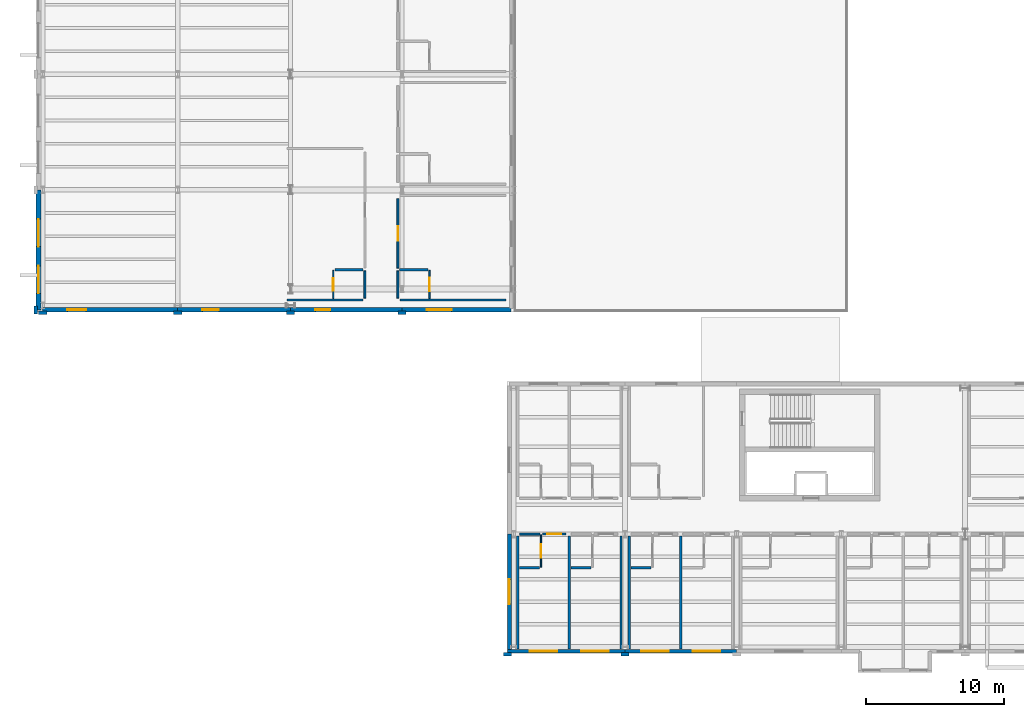
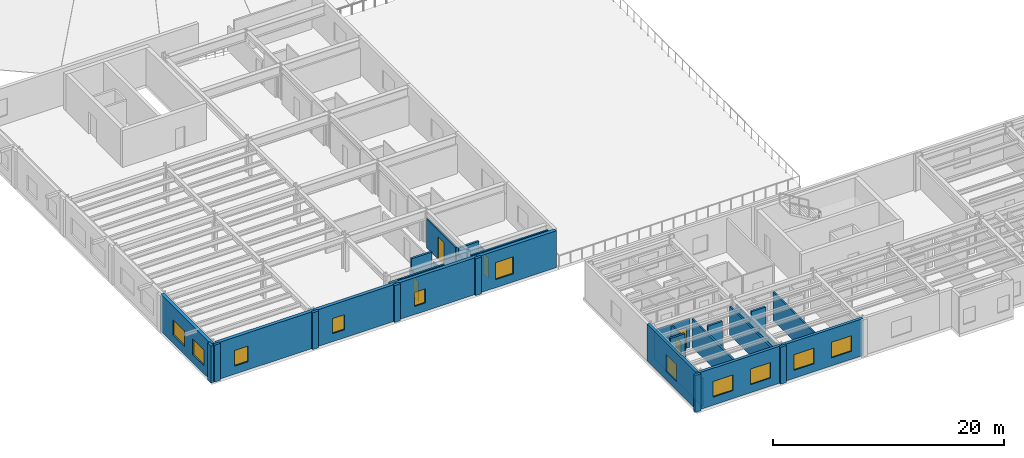
# One storey, part 34 of 59: 35 walls, 11 windows, 5 doors, 16 openings.
"""IFC4 building model written with IfcOpenShell, lengths in metres."""

from ifc_helpers import new_model, si_unit, direction, frame, frame_2d, origin, place, context, subcontext, project, spatial, rectangle, extrude, material, layer, layer_set, type_object, element, fill, save


model = new_model("IFC4")

# Units and contexts
model_context = context("Model", 3, precision=1e-05, world=origin(), true_north=direction((0.0, 1.0)))
body_context = subcontext(model_context, "Body", "Model", "MODEL_VIEW")
ifc_project = project(units=[si_unit("LENGTHUNIT", "METRE"), si_unit("AREAUNIT", "SQUARE_METRE"), si_unit("VOLUMEUNIT", "CUBIC_METRE"), si_unit("PLANEANGLEUNIT", "RADIAN"), si_unit("MASSUNIT", "GRAM", prefix="KILO")], contexts=[model_context])

# Site, building, storey
site_placement = place(None, origin())
site = spatial("IfcSite", under=ifc_project, at=site_placement, CompositionType="ELEMENT")
building_placement = place(site_placement, origin())
building = spatial("IfcBuilding", under=site, at=building_placement, Name="Sollismere Congress Hotel", CompositionType="ELEMENT")
storey_placement = place(building_placement, frame((0.0, 0.0, 15.60009765625)))
storey = spatial("IfcBuildingStorey", under=building, at=storey_placement, Name="L03", CompositionType="ELEMENT", Elevation=15.60009765625)

# Wall, openings, windows
ifc_material_1 = material(Name="Colorado Buff Sandstone Rainscreen on Insulated Backup", Category="masonry")
ifc_layer_1 = layer(ifc_material_1, 0.284912109375, Name="Colorado Buff Sandstone Rainscreen on Insulated Backup")
ifc_layer_set_1 = layer_set([ifc_layer_1], Name="Colorado Buff Sandstone Rainscreen on Insulated Backup")
wall_type_1 = type_object("IfcWallType", Name="WL-EXT285", PredefinedType="STANDARD", material=ifc_layer_set_1)
wall_1_placement = place(storey_placement, frame((33.75, -0.31005859375, 0.0), z_axis=(0.0, 0.0, 1.0), x_axis=(1.0, 0.0, 0.0)))
wall_1 = element("IfcWall", 1, at=wall_1_placement, inside=storey, type_object=wall_type_1, Name="Exterior wall EW-L03-390", PredefinedType="STANDARD", context=body_context, shape_type="SweptSolid", body=[
    extrude(rectangle(XDim=8.550048828125, YDim=0.284912109375, at=frame_2d((4.27490234375, 0.0))), origin(), (0.0, 0.0, 1.0), 3.89990234375),
])
opening_1_placement = place(wall_1_placement, frame((1.625, 0.0, 0.85009765625)))
opening_1 = element("IfcOpeningElement", 2, at=opening_1_placement, cuts=wall_1, Name="Opening W-L03-309", PredefinedType="OPENING", context=body_context, shape_type="SweptSolid", body=[
    extrude(rectangle(XDim=2.0, YDim=1.64990234375, at=frame_2d((1.0, 0.824951171875))), frame((0.0, 0.15234375, 0.0), z_axis=(0.0, -1.0, 0.0), x_axis=(1.0, 0.0, 0.0)), (0.0, 0.0, 1.0), 0.304931640625),
])
opening_2_placement = place(wall_1_placement, frame((5.375, 0.0, 0.85009765625)))
opening_2 = element("IfcOpeningElement", 3, at=opening_2_placement, cuts=wall_1, Name="Opening W-L03-310", PredefinedType="OPENING", context=body_context, shape_type="SweptSolid", body=[
    extrude(rectangle(XDim=2.0, YDim=1.64990234375, at=frame_2d((1.0, 0.824951171875))), frame((0.0, 0.15234375, 0.0), z_axis=(0.0, -1.0, 0.0), x_axis=(1.0, 0.0, 0.0)), (0.0, 0.0, 1.0), 0.304931640625),
])
ifc_material_2 = material(Name="Thermally Broken Bronze Aluminum & Low-E Glass", Category="aluminium")
window_type_1 = type_object("IfcWindowType", Name="WN-P200x165", PartitioningType="SINGLE_PANEL", PredefinedType="WINDOW", material=ifc_material_2)
window_1_placement = place(opening_1_placement, origin())
window_1 = element("IfcWindow", 4, at=window_1_placement, inside=storey, type_object=window_type_1, Name="WIN-W-L03-309", OverallHeight=1.64990234375, OverallWidth=2.0, PartitioningType="SINGLE_PANEL", PredefinedType="WINDOW", context=body_context, shape_type="SweptSolid", body=[
    extrude(rectangle(XDim=2.0, YDim=1.64990234375, at=frame_2d((1.0, 0.824951171875))), frame((0.0, 0.030029296875, 0.0), z_axis=(0.0, -1.0, 0.0), x_axis=(1.0, 0.0, 0.0)), (0.0, 0.0, 1.0), 0.06005859375),
])
fill(opening_1, window_1)
window_2_placement = place(opening_2_placement, origin())
window_2 = element("IfcWindow", 5, at=window_2_placement, inside=storey, type_object=window_type_1, Name="WIN-W-L03-310", OverallHeight=1.64990234375, OverallWidth=2.0, PartitioningType="SINGLE_PANEL", PredefinedType="WINDOW", context=body_context, shape_type="SweptSolid", body=[
    extrude(rectangle(XDim=2.0, YDim=1.64990234375, at=frame_2d((1.0, 0.824951171875))), frame((0.0, 0.030029296875, 0.0), z_axis=(0.0, -1.0, 0.0), x_axis=(1.0, 0.0, 0.0)), (0.0, 0.0, 1.0), 0.06005859375),
])
fill(opening_2, window_2)

wall_2_placement = place(storey_placement, frame((42.300048828125, -0.31005859375, 0.0), z_axis=(0.0, 0.0, 1.0), x_axis=(1.0, 0.0, 0.0)))
wall_2 = element("IfcWall", 6, at=wall_2_placement, inside=storey, type_object=wall_type_1, Name="Exterior wall EW-L03-392", PredefinedType="STANDARD", context=body_context, shape_type="SweptSolid", body=[
    extrude(rectangle(XDim=8.099853515625, YDim=0.284912109375, at=frame_2d((4.0498046875, 0.0))), origin(), (0.0, 0.0, 1.0), 3.89990234375),
])
opening_3_placement = place(wall_2_placement, frame((1.175048828125, 0.0, 0.85009765625)))
opening_3 = element("IfcOpeningElement", 7, at=opening_3_placement, cuts=wall_2, Name="Opening W-L03-311", PredefinedType="OPENING", context=body_context, shape_type="SweptSolid", body=[
    extrude(rectangle(XDim=2.0, YDim=1.64990234375, at=frame_2d((1.0, 0.824951171875))), frame((0.0, 0.15234375, 0.0), z_axis=(0.0, -1.0, 0.0), x_axis=(1.0, 0.0, 0.0)), (0.0, 0.0, 1.0), 0.304931640625),
])
opening_4_placement = place(wall_2_placement, frame((4.925048828125, 0.0, 0.85009765625)))
opening_4 = element("IfcOpeningElement", 8, at=opening_4_placement, cuts=wall_2, Name="Opening W-L03-312", PredefinedType="OPENING", context=body_context, shape_type="SweptSolid", body=[
    extrude(rectangle(XDim=2.0, YDim=1.64990234375, at=frame_2d((1.0, 0.824951171875))), frame((0.0, 0.15234375, 0.0), z_axis=(0.0, -1.0, 0.0), x_axis=(1.0, 0.0, 0.0)), (0.0, 0.0, 1.0), 0.304931640625),
])
window_3_placement = place(opening_3_placement, origin())
window_3 = element("IfcWindow", 9, at=window_3_placement, inside=storey, type_object=window_type_1, Name="WIN-W-L03-311", OverallHeight=1.64990234375, OverallWidth=2.0, PartitioningType="SINGLE_PANEL", PredefinedType="WINDOW", context=body_context, shape_type="SweptSolid", body=[
    extrude(rectangle(XDim=2.0, YDim=1.64990234375, at=frame_2d((1.0, 0.824951171875))), frame((0.0, 0.030029296875, 0.0), z_axis=(0.0, -1.0, 0.0), x_axis=(1.0, 0.0, 0.0)), (0.0, 0.0, 1.0), 0.06005859375),
])
fill(opening_3, window_3)
window_4_placement = place(opening_4_placement, origin())
window_4 = element("IfcWindow", 10, at=window_4_placement, inside=storey, type_object=window_type_1, Name="WIN-W-L03-312", OverallHeight=1.64990234375, OverallWidth=2.0, PartitioningType="SINGLE_PANEL", PredefinedType="WINDOW", context=body_context, shape_type="SweptSolid", body=[
    extrude(rectangle(XDim=2.0, YDim=1.64990234375, at=frame_2d((1.0, 0.824951171875))), frame((0.0, 0.030029296875, 0.0), z_axis=(0.0, -1.0, 0.0), x_axis=(1.0, 0.0, 0.0)), (0.0, 0.0, 1.0), 0.06005859375),
])
fill(opening_4, window_4)

# Wall, opening, window
wall_3_placement = place(storey_placement, frame((33.889892578125, 8.199951171875, 0.0), z_axis=(0.0, 0.0, 1.0), x_axis=(0.0, -1.0, 0.0)))
wall_3 = element("IfcWall", 11, at=wall_3_placement, inside=storey, type_object=wall_type_1, Name="Exterior wall EW-L03-473", PredefinedType="STANDARD", context=body_context, shape_type="SweptSolid", body=[
    extrude(rectangle(XDim=8.365478515625, YDim=0.284912109375, at=frame_2d((4.1826171875, 0.0))), origin(), (0.0, 0.0, 1.0), 3.89990234375),
])
opening_5_placement = place(wall_3_placement, frame((3.28271484375, 0.0, 0.8798828125)))
opening_5 = element("IfcOpeningElement", 12, at=opening_5_placement, cuts=wall_3, Name="Opening W-L03-362", PredefinedType="OPENING", context=body_context, shape_type="SweptSolid", body=[
    extrude(rectangle(XDim=1.800048828125, YDim=1.800048828125, at=frame_2d((0.89990234375, 0.89990234375))), frame((0.0, 0.15234375, 0.0), z_axis=(0.0, -1.0, 0.0), x_axis=(1.0, 0.0, 0.0)), (0.0, 0.0, 1.0), 0.304931640625),
])
window_type_2 = type_object("IfcWindowType", Name="WN-P180x180", PartitioningType="SINGLE_PANEL", PredefinedType="WINDOW", material=ifc_material_2)
window_5_placement = place(opening_5_placement, origin())
window_5 = element("IfcWindow", 13, at=window_5_placement, inside=storey, type_object=window_type_2, Name="WIN-W-L03-362", OverallHeight=1.800048828125, OverallWidth=1.800048828125, PartitioningType="SINGLE_PANEL", PredefinedType="WINDOW", context=body_context, shape_type="SweptSolid", body=[
    extrude(rectangle(XDim=1.800048828125, YDim=1.800048828125, at=frame_2d((0.89990234375, 0.89990234375))), frame((0.0, 0.030029296875, 0.0), z_axis=(0.0, -1.0, 0.0), x_axis=(1.0, 0.0, 0.0)), (0.0, 0.0, 1.0), 0.06005859375),
])
fill(opening_5, window_5)

# Wall, openings, windows
ifc_material_3 = material(Name="Colorado Buff Sandstone and Limestone Backup C40/50", Category="masonry")
ifc_layer_2 = layer(ifc_material_3, 0.340087890625, Name="Colorado Buff Sandstone and Limestone Backup C40/50")
ifc_layer_set_2 = layer_set([ifc_layer_2], Name="Colorado Buff Sandstone and Limestone Backup C40/50")
wall_type_2 = type_object("IfcWallType", Name="WL-EXT340", PredefinedType="STANDARD", material=ifc_layer_set_2)
wall_4_placement = place(storey_placement, frame((-0.31005859375, 24.47998046875, 0.0), z_axis=(0.0, 0.0, 1.0), x_axis=(0.0, 1.0, 0.0)))
wall_4 = element("IfcWall", 14, at=wall_4_placement, inside=storey, type_object=wall_type_2, Name="Exterior wall EW-L03-176", PredefinedType="STANDARD", context=body_context, shape_type="SweptSolid", body=[
    extrude(rectangle(XDim=8.719970703125, YDim=0.340087890625, at=frame_2d((4.35986328125, 0.0))), origin(), (0.0, 0.0, 1.0), 3.89990234375),
])
opening_6_placement = place(wall_4_placement, frame((1.199951171875, 0.0, 0.85009765625)))
opening_6 = element("IfcOpeningElement", 15, at=opening_6_placement, cuts=wall_4, Name="Opening W-L03-146", PredefinedType="OPENING", context=body_context, shape_type="SweptSolid", body=[
    extrude(rectangle(XDim=2.0, YDim=1.64990234375, at=frame_2d((1.0, 0.824951171875))), frame((0.0, 0.179931640625, 0.0), z_axis=(0.0, -1.0, 0.0), x_axis=(1.0, 0.0, 0.0)), (0.0, 0.0, 1.0), 0.360107421875),
])
opening_7_placement = place(wall_4_placement, frame((4.60009765625, 0.0, 0.85009765625)))
opening_7 = element("IfcOpeningElement", 16, at=opening_7_placement, cuts=wall_4, Name="Opening W-L03-147", PredefinedType="OPENING", context=body_context, shape_type="SweptSolid", body=[
    extrude(rectangle(XDim=2.0, YDim=1.64990234375, at=frame_2d((1.0, 0.824951171875))), frame((0.0, 0.179931640625, 0.0), z_axis=(0.0, -1.0, 0.0), x_axis=(1.0, 0.0, 0.0)), (0.0, 0.0, 1.0), 0.360107421875),
])
window_6_placement = place(opening_6_placement, origin())
window_6 = element("IfcWindow", 17, at=window_6_placement, inside=storey, type_object=window_type_1, Name="WIN-W-L03-146", OverallHeight=1.64990234375, OverallWidth=2.0, PartitioningType="SINGLE_PANEL", PredefinedType="WINDOW", context=body_context, shape_type="SweptSolid", body=[
    extrude(rectangle(XDim=2.0, YDim=1.64990234375, at=frame_2d((1.0, 0.824951171875))), frame((0.0, 0.030029296875, 0.0), z_axis=(0.0, -1.0, 0.0), x_axis=(1.0, 0.0, 0.0)), (0.0, 0.0, 1.0), 0.06005859375),
])
fill(opening_6, window_6)
window_7_placement = place(opening_7_placement, origin())
window_7 = element("IfcWindow", 18, at=window_7_placement, inside=storey, type_object=window_type_1, Name="WIN-W-L03-147", OverallHeight=1.64990234375, OverallWidth=2.0, PartitioningType="SINGLE_PANEL", PredefinedType="WINDOW", context=body_context, shape_type="SweptSolid", body=[
    extrude(rectangle(XDim=2.0, YDim=1.64990234375, at=frame_2d((1.0, 0.824951171875))), frame((0.0, 0.030029296875, 0.0), z_axis=(0.0, -1.0, 0.0), x_axis=(1.0, 0.0, 0.0)), (0.0, 0.0, 1.0), 0.06005859375),
])
fill(opening_7, window_7)

# Wall, opening, window
wall_5_placement = place(storey_placement, frame((0.0, 24.489990234375, 0.0), z_axis=(0.0, 0.0, 1.0), x_axis=(1.0, 0.0, 0.0)))
wall_5 = element("IfcWall", 19, at=wall_5_placement, inside=storey, type_object=wall_type_2, Name="Exterior wall EW-L03-186", PredefinedType="STANDARD", context=body_context, shape_type="SweptSolid", body=[
    extrude(rectangle(XDim=9.800048828125, YDim=0.340087890625, at=frame_2d((4.89990234375, 0.0))), origin(), (0.0, 0.0, 1.0), 3.89990234375),
])
opening_8_placement = place(wall_5_placement, frame((1.800048828125, 0.0, 0.85009765625)))
opening_8 = element("IfcOpeningElement", 20, at=opening_8_placement, cuts=wall_5, Name="Opening W-L03-156", PredefinedType="OPENING", context=body_context, shape_type="SweptSolid", body=[
    extrude(rectangle(XDim=1.35009765625, YDim=1.64990234375, at=frame_2d((0.675048828125, 0.824951171875))), frame((0.0, 0.179931640625, 0.0), z_axis=(0.0, -1.0, 0.0), x_axis=(1.0, 0.0, 0.0)), (0.0, 0.0, 1.0), 0.360107421875),
])
window_type_3 = type_object("IfcWindowType", Name="WN-P135x165", PartitioningType="SINGLE_PANEL", PredefinedType="WINDOW", material=ifc_material_2)
window_8_placement = place(opening_8_placement, origin())
window_8 = element("IfcWindow", 21, at=window_8_placement, inside=storey, type_object=window_type_3, Name="WIN-W-L03-156", OverallHeight=1.64990234375, OverallWidth=1.35009765625, PartitioningType="SINGLE_PANEL", PredefinedType="WINDOW", context=body_context, shape_type="SweptSolid", body=[
    extrude(rectangle(XDim=1.35009765625, YDim=1.64990234375, at=frame_2d((0.675048828125, 0.824951171875))), frame((0.0, 0.030029296875, 0.0), z_axis=(0.0, -1.0, 0.0), x_axis=(1.0, 0.0, 0.0)), (0.0, 0.0, 1.0), 0.06005859375),
])
fill(opening_8, window_8)

wall_6_placement = place(storey_placement, frame((9.800048828125, 24.489990234375, 0.0), z_axis=(0.0, 0.0, 1.0), x_axis=(1.0, 0.0, 0.0)))
wall_6 = element("IfcWall", 22, at=wall_6_placement, inside=storey, type_object=wall_type_2, Name="Exterior wall EW-L03-188", PredefinedType="STANDARD", context=body_context, shape_type="SweptSolid", body=[
    extrude(rectangle(XDim=8.199951171875, YDim=0.340087890625, at=frame_2d((4.10009765625, 0.0))), origin(), (0.0, 0.0, 1.0), 3.89990234375),
])
opening_9_placement = place(wall_6_placement, frame((1.800048828125, 0.0, 0.85009765625)))
opening_9 = element("IfcOpeningElement", 23, at=opening_9_placement, cuts=wall_6, Name="Opening W-L03-157", PredefinedType="OPENING", context=body_context, shape_type="SweptSolid", body=[
    extrude(rectangle(XDim=1.199951171875, YDim=1.60009765625, at=frame_2d((0.60009765625, 0.800048828125))), frame((0.0, 0.179931640625, 0.0), z_axis=(0.0, -1.0, 0.0), x_axis=(1.0, 0.0, 0.0)), (0.0, 0.0, 1.0), 0.360107421875),
])
window_type_4 = type_object("IfcWindowType", Name="WN-P120x160", PartitioningType="SINGLE_PANEL", PredefinedType="WINDOW", material=ifc_material_2)
window_9_placement = place(opening_9_placement, origin())
window_9 = element("IfcWindow", 24, at=window_9_placement, inside=storey, type_object=window_type_4, Name="WIN-W-L03-157", OverallHeight=1.60009765625, OverallWidth=1.199951171875, PartitioningType="SINGLE_PANEL", PredefinedType="WINDOW", context=body_context, shape_type="SweptSolid", body=[
    extrude(rectangle(XDim=1.199951171875, YDim=1.60009765625, at=frame_2d((0.60009765625, 0.800048828125))), frame((0.0, 0.030029296875, 0.0), z_axis=(0.0, -1.0, 0.0), x_axis=(1.0, 0.0, 0.0)), (0.0, 0.0, 1.0), 0.06005859375),
])
fill(opening_9, window_9)

wall_7_placement = place(storey_placement, frame((18.0, 24.489990234375, 0.0), z_axis=(0.0, 0.0, 1.0), x_axis=(1.0, 0.0, 0.0)))
wall_7 = element("IfcWall", 25, at=wall_7_placement, inside=storey, type_object=wall_type_2, Name="Exterior wall EW-L03-190", PredefinedType="STANDARD", context=body_context, shape_type="SweptSolid", body=[
    extrude(rectangle(XDim=8.10009765625, YDim=0.340087890625, at=frame_2d((4.050048828125, 0.0))), origin(), (0.0, 0.0, 1.0), 3.89990234375),
])
opening_10_placement = place(wall_7_placement, frame((1.800048828125, 0.0, 0.85009765625)))
opening_10 = element("IfcOpeningElement", 26, at=opening_10_placement, cuts=wall_7, Name="Opening W-L03-158", PredefinedType="OPENING", context=body_context, shape_type="SweptSolid", body=[
    extrude(rectangle(XDim=1.10009765625, YDim=1.5, at=frame_2d((0.550048828125, 0.75))), frame((0.0, 0.179931640625, 0.0), z_axis=(0.0, -1.0, 0.0), x_axis=(1.0, 0.0, 0.0)), (0.0, 0.0, 1.0), 0.360107421875),
])
window_type_5 = type_object("IfcWindowType", Name="WN-P110x150", PartitioningType="SINGLE_PANEL", PredefinedType="WINDOW", material=ifc_material_2)
window_10_placement = place(opening_10_placement, origin())
window_10 = element("IfcWindow", 27, at=window_10_placement, inside=storey, type_object=window_type_5, Name="WIN-W-L03-158", OverallHeight=1.5, OverallWidth=1.10009765625, PartitioningType="SINGLE_PANEL", PredefinedType="WINDOW", context=body_context, shape_type="SweptSolid", body=[
    extrude(rectangle(XDim=1.10009765625, YDim=1.5, at=frame_2d((0.550048828125, 0.75))), frame((0.0, 0.030029296875, 0.0), z_axis=(0.0, -1.0, 0.0), x_axis=(1.0, 0.0, 0.0)), (0.0, 0.0, 1.0), 0.06005859375),
])
fill(opening_10, window_10)

wall_8_placement = place(storey_placement, frame((26.10009765625, 24.489990234375, 0.0), z_axis=(0.0, 0.0, 1.0), x_axis=(1.0, 0.0, 0.0)))
wall_8 = element("IfcWall", 28, at=wall_8_placement, inside=storey, type_object=wall_type_2, Name="Exterior wall EW-L03-192", PredefinedType="STANDARD", context=body_context, shape_type="SweptSolid", body=[
    extrude(rectangle(XDim=7.89990234375, YDim=0.340087890625, at=frame_2d((3.949951171875, 0.0))), origin(), (0.0, 0.0, 1.0), 3.89990234375),
])
opening_11_placement = place(wall_8_placement, frame((1.800048828125, 0.0, 0.85009765625)))
opening_11 = element("IfcOpeningElement", 29, at=opening_11_placement, cuts=wall_8, Name="Opening W-L03-159", PredefinedType="OPENING", context=body_context, shape_type="SweptSolid", body=[
    extrude(rectangle(XDim=1.800048828125, YDim=1.800048828125, at=frame_2d((0.89990234375, 0.89990234375))), frame((0.0, 0.179931640625, 0.0), z_axis=(0.0, -1.0, 0.0), x_axis=(1.0, 0.0, 0.0)), (0.0, 0.0, 1.0), 0.360107421875),
])
window_11_placement = place(opening_11_placement, origin())
window_11 = element("IfcWindow", 30, at=window_11_placement, inside=storey, type_object=window_type_2, Name="WIN-W-L03-159", OverallHeight=1.800048828125, OverallWidth=1.800048828125, PartitioningType="SINGLE_PANEL", PredefinedType="WINDOW", context=body_context, shape_type="SweptSolid", body=[
    extrude(rectangle(XDim=1.800048828125, YDim=1.800048828125, at=frame_2d((0.89990234375, 0.89990234375))), frame((0.0, 0.030029296875, 0.0), z_axis=(0.0, -1.0, 0.0), x_axis=(1.0, 0.0, 0.0)), (0.0, 0.0, 1.0), 0.06005859375),
])
fill(opening_11, window_11)

# Walls
ifc_material_4 = material(Name="Carved Travertine Pilaster & Frieze Assembly", Category="masonry")
ifc_layer_3 = layer(ifc_material_4, 0.260009765625, Name="Carved Travertine Pilaster & Frieze Assembly")
ifc_layer_set_3 = layer_set([ifc_layer_3], Name="Carved Travertine Pilaster & Frieze Assembly")
wall_type_3 = type_object("IfcWallType", Name="WL-PIL280", PredefinedType="ELEMENTEDWALL", material=ifc_layer_set_3)
for number, where, z_axis, x_axis, name in (
    (31, (-0.52001953125, 24.179931640625, 0.0), (0.0, 0.0, 1.0), (0.0, 1.0, 0.0), "Exterior wall EW-L03-177"),
    (32, (-0.300048828125, 24.280029296875, 0.0), (0.0, 0.0, 1.0), (1.0, 0.0, 0.0), "Exterior wall EW-L03-187"),
    (33, (9.5, 24.280029296875, 0.0), (0.0, 0.0, 1.0), (1.0, 0.0, 0.0), "Exterior wall EW-L03-189"),
    (34, (17.699951171875, 24.280029296875, 0.0), (0.0, 0.0, 1.0), (1.0, 0.0, 0.0), "Exterior wall EW-L03-191"),
):
    element("IfcWall", number, at=place(storey_placement, frame(where, z_axis=z_axis, x_axis=x_axis)), inside=storey, type_object=wall_type_3, Name=name, PredefinedType="ELEMENTEDWALL", context=body_context, shape_type="SweptSolid", body=[
        extrude(rectangle(XDim=0.60009765625, YDim=0.260009765625, at=frame_2d((0.300048828125, 0.0))), origin(), (0.0, 0.0, 1.0), 3.89990234375),
    ])
wall_9_placement = place(storey_placement, frame((25.800048828125, 24.280029296875, 0.0), z_axis=(0.0, 0.0, 1.0), x_axis=(1.0, 0.0, 0.0)))
element("IfcWall", 35, at=wall_9_placement, inside=storey, type_object=wall_type_3, Name="Exterior wall EW-L03-193", PredefinedType="ELEMENTEDWALL", context=body_context, shape_type="SweptSolid", body=[
    extrude(rectangle(XDim=0.599853515625, YDim=0.260009765625, at=frame_2d((0.2998046875, 0.0))), origin(), (0.0, 0.0, 1.0), 3.89990234375),
])
for number, where, z_axis, x_axis, name in (
    (36, (33.449951171875, -0.52001953125, 0.0), (0.0, 0.0, 1.0), (1.0, 0.0, 0.0), "Exterior wall EW-L03-391"),
    (37, (42.0, -0.52001953125, 0.0), (0.0, 0.0, 1.0), (1.0, 0.0, 0.0), "Exterior wall EW-L03-393"),
):
    element("IfcWall", number, at=place(storey_placement, frame(where, z_axis=z_axis, x_axis=x_axis)), inside=storey, type_object=wall_type_3, Name=name, PredefinedType="ELEMENTEDWALL", context=body_context, shape_type="SweptSolid", body=[
        extrude(rectangle(XDim=0.60009765625, YDim=0.260009765625, at=frame_2d((0.300048828125, 0.0))), origin(), (0.0, 0.0, 1.0), 3.89990234375),
    ])
ifc_material_5 = material(Name="Moisture-Resistant Shaft Gypsum Assembly")
ifc_layer_4 = layer(ifc_material_5, 0.199951171875, Name="Moisture-Resistant Shaft Gypsum Assembly")
ifc_layer_set_4 = layer_set([ifc_layer_4], Name="Moisture-Resistant Shaft Gypsum Assembly")
wall_type_4 = type_object("IfcWallType", Name="WL-PLM200", PredefinedType="PLUMBINGWALL", material=ifc_layer_set_4)
for number, where, z_axis, x_axis, name in (
    (38, (34.6201171875, 5.75, 0.0), (0.0, 0.0, 1.0), (1.0, 0.0, 0.0), "Interior wall IW-L03-1214"),
    (39, (38.3701171875, 5.75, 0.0), (0.0, 0.0, 1.0), (1.0, 0.0, 0.0), "Interior wall IW-L03-1219"),
    (40, (42.719970703125, 5.75, 0.0), (0.0, 0.0, 1.0), (1.0, 0.0, 0.0), "Interior wall IW-L03-1236"),
):
    element("IfcWall", number, at=place(storey_placement, frame(where, z_axis=z_axis, x_axis=x_axis)), inside=storey, type_object=wall_type_4, Name=name, PredefinedType="PLUMBINGWALL", context=body_context, shape_type="SweptSolid", body=[
        extrude(rectangle(XDim=1.447998046875, YDim=0.199951171875, at=frame_2d((0.72412109375, 0.0))), origin(), (0.0, 0.0, 1.0), 3.599853515625),
    ])
wall_10_placement = place(storey_placement, frame((25.919921875, 27.39990234375, 0.0), z_axis=(0.0, 0.0, 1.0), x_axis=(1.0, 0.0, 0.0)))
element("IfcWall", 41, at=wall_10_placement, inside=storey, type_object=wall_type_4, Name="Interior wall IW-L03-1439", PredefinedType="PLUMBINGWALL", context=body_context, shape_type="SweptSolid", body=[
    extrude(rectangle(XDim=2.06005859375, YDim=0.199951171875, at=frame_2d((1.030029296875, 0.0))), origin(), (0.0, 0.0, 1.0), 3.073974609375),
])
wall_11_placement = place(storey_placement, frame((21.219970703125, 27.39990234375, 0.0), z_axis=(0.0, 0.0, 1.0), x_axis=(1.0, 0.0, 0.0)))
element("IfcWall", 42, at=wall_11_placement, inside=storey, type_object=wall_type_4, Name="Interior wall IW-L03-1469", PredefinedType="PLUMBINGWALL", context=body_context, shape_type="SweptSolid", body=[
    extrude(rectangle(XDim=2.06005859375, YDim=0.199951171875, at=frame_2d((1.030029296875, 0.0))), origin(), (0.0, 0.0, 1.0), 3.599853515625),
])

# Wall, opening, door
ifc_material_6 = material(Name="Moisture-Resistant Gypsum Partition")
ifc_layer_5 = layer(ifc_material_6, 0.10009765625, Name="Moisture-Resistant Gypsum Partition")
ifc_layer_set_5 = layer_set([ifc_layer_5], Name="Moisture-Resistant Gypsum Partition")
wall_type_5 = type_object("IfcWallType", Name="WL-PRT100", PredefinedType="PARTITIONING", material=ifc_layer_set_5)
wall_12_placement = place(storey_placement, frame((36.18798828125, 5.7900390625, 0.0), z_axis=(0.0, 0.0, 1.0), x_axis=(0.0, 1.0, 0.0)))
wall_12 = element("IfcWall", 43, at=wall_12_placement, inside=storey, type_object=wall_type_5, Name="Interior wall IW-L03-1213", PredefinedType="PARTITIONING", context=body_context, shape_type="SweptSolid", body=[
    extrude(rectangle(XDim=2.369873046875, YDim=0.10009765625, at=frame_2d((1.18505859375, 0.0))), origin(), (0.0, 0.0, 1.0), 3.012939453125),
])
opening_12_placement = place(wall_12_placement, frame((0.7080078125, 0.0, 0.0)))
opening_12 = element("IfcOpeningElement", 44, at=opening_12_placement, cuts=wall_12, Name="Opening D-L03-0428", PredefinedType="OPENING", context=body_context, shape_type="SweptSolid", body=[
    extrude(rectangle(XDim=0.955078125, YDim=2.139892578125, at=frame_2d((0.4775390625, 1.06982421875))), frame((0.0, 0.06005859375, 0.0), z_axis=(0.0, -1.0, 0.0), x_axis=(1.0, 0.0, 0.0)), (0.0, 0.0, 1.0), 0.1201171875),
])
ifc_material_7 = material(Name="Moisture-Sealed Timber Bathroom Door", Category="wood")
door_type_1 = type_object("IfcDoorType", Name="DR-BT04", OperationType="NOTDEFINED", PredefinedType="DOOR", material=ifc_material_7)
door_1_placement = place(opening_12_placement, origin())
door_1 = element("IfcDoor", 45, at=door_1_placement, inside=storey, type_object=door_type_1, Name="En-suite bathroom door D-L03-0428", OperationType="SINGLE_SWING_LEFT", OverallHeight=2.139892578125, OverallWidth=0.955078125, PredefinedType="DOOR", context=body_context, shape_type="SweptSolid", body=[
    extrude(rectangle(XDim=0.955078125, YDim=2.139892578125, at=frame_2d((0.4775390625, 1.06982421875))), frame((0.0, 0.02490234375, 0.0), z_axis=(0.0, -1.0, 0.0), x_axis=(1.0, 0.0, 0.0)), (0.0, 0.0, 1.0), 0.050048828125),
])
fill(opening_12, door_1)

wall_13_placement = place(storey_placement, frame((28.10009765625, 25.29443359375, 0.0), z_axis=(0.0, 0.0, 1.0), x_axis=(0.0, 1.0, 0.0)))
wall_13 = element("IfcWall", 46, at=wall_13_placement, inside=storey, type_object=wall_type_5, Name="Interior wall IW-L03-1440", PredefinedType="PARTITIONING", context=body_context, shape_type="SweptSolid", body=[
    extrude(rectangle(XDim=2.065673828125, YDim=0.10009765625, at=frame_2d((1.03271484375, 0.0))), origin(), (0.0, 0.0, 1.0), 2.583984375),
])
opening_13_placement = place(wall_13_placement, frame((0.554931640625, 0.0, 0.0)))
opening_13 = element("IfcOpeningElement", 47, at=opening_13_placement, cuts=wall_13, Name="Opening D-L03-0508", PredefinedType="OPENING", context=body_context, shape_type="SweptSolid", body=[
    extrude(rectangle(XDim=0.955078125, YDim=2.139892578125, at=frame_2d((0.4775390625, 1.06982421875))), frame((0.0, 0.06005859375, 0.0), z_axis=(0.0, -1.0, 0.0), x_axis=(1.0, 0.0, 0.0)), (0.0, 0.0, 1.0), 0.1201171875),
])
door_2_placement = place(opening_13_placement, origin())
door_2 = element("IfcDoor", 48, at=door_2_placement, inside=storey, type_object=door_type_1, Name="En-suite bathroom door D-L03-0508", OperationType="SINGLE_SWING_LEFT", OverallHeight=2.139892578125, OverallWidth=0.955078125, PredefinedType="DOOR", context=body_context, shape_type="SweptSolid", body=[
    extrude(rectangle(XDim=0.955078125, YDim=2.139892578125, at=frame_2d((0.4775390625, 1.06982421875))), frame((0.0, 0.02490234375, 0.0), z_axis=(0.0, -1.0, 0.0), x_axis=(1.0, 0.0, 0.0)), (0.0, 0.0, 1.0), 0.050048828125),
])
fill(opening_13, door_2)

wall_14_placement = place(storey_placement, frame((21.10009765625, 25.29443359375, 0.0), z_axis=(0.0, 0.0, 1.0), x_axis=(0.0, 1.0, 0.0)))
wall_14 = element("IfcWall", 49, at=wall_14_placement, inside=storey, type_object=wall_type_5, Name="Interior wall IW-L03-1470", PredefinedType="PARTITIONING", context=body_context, shape_type="SweptSolid", body=[
    extrude(rectangle(XDim=2.065673828125, YDim=0.10009765625, at=frame_2d((1.03271484375, 0.0))), origin(), (0.0, 0.0, 1.0), 2.583984375),
])
opening_14_placement = place(wall_14_placement, frame((0.593017578125, 0.0, 0.0)))
opening_14 = element("IfcOpeningElement", 50, at=opening_14_placement, cuts=wall_14, Name="Opening D-L03-0518", PredefinedType="OPENING", context=body_context, shape_type="SweptSolid", body=[
    extrude(rectangle(XDim=0.8798828125, YDim=2.10009765625, at=frame_2d((0.43994140625, 1.050048828125))), frame((0.0, 0.06005859375, 0.0), z_axis=(0.0, -1.0, 0.0), x_axis=(1.0, 0.0, 0.0)), (0.0, 0.0, 1.0), 0.1201171875),
])
door_type_2 = type_object("IfcDoorType", Name="DR-BT01", OperationType="NOTDEFINED", PredefinedType="DOOR", material=ifc_material_7)
door_3_placement = place(opening_14_placement, origin())
door_3 = element("IfcDoor", 51, at=door_3_placement, inside=storey, type_object=door_type_2, Name="En-suite bathroom door D-L03-0518", OperationType="SINGLE_SWING_LEFT", OverallHeight=2.10009765625, OverallWidth=0.8798828125, PredefinedType="DOOR", context=body_context, shape_type="SweptSolid", body=[
    extrude(rectangle(XDim=0.8798828125, YDim=2.10009765625, at=frame_2d((0.43994140625, 1.050048828125))), frame((0.0, 0.02490234375, 0.0), z_axis=(0.0, -1.0, 0.0), x_axis=(1.0, 0.0, 0.0)), (0.0, 0.0, 1.0), 0.050048828125),
])
fill(opening_14, door_3)

# Wall
ifc_material_8 = material(Name="Fire-Rated Gypsum Partition")
ifc_layer_6 = layer(ifc_material_8, 0.139892578125, Name="Fire-Rated Gypsum Partition")
ifc_layer_set_6 = layer_set([ifc_layer_6], Name="Fire-Rated Gypsum Partition")
wall_type_6 = type_object("IfcWallType", Name="WL-PRT140R", PredefinedType="PARTITIONING", material=ifc_layer_set_6)
wall_15_placement = place(storey_placement, frame((34.639892578125, 8.199951171875, 0.0), z_axis=(0.0, 0.0, 1.0), x_axis=(1.0, 0.0, 0.0)))
element("IfcWall", 52, at=wall_15_placement, inside=storey, type_object=wall_type_6, Name="Interior wall IW-L03-1209", PredefinedType="PARTITIONING", context=body_context, shape_type="SweptSolid", body=[
    extrude(rectangle(XDim=1.468017578125, YDim=0.139892578125, at=frame_2d((0.73388671875, 0.0))), origin(), (0.0, 0.0, 1.0), 3.012939453125),
])

# Wall, opening, door
wall_16_placement = place(storey_placement, frame((36.30810546875, 8.199951171875, 0.0), z_axis=(0.0, 0.0, 1.0), x_axis=(1.0, 0.0, 0.0)))
wall_16 = element("IfcWall", 53, at=wall_16_placement, inside=storey, type_object=wall_type_6, Name="Interior wall IW-L03-1210", PredefinedType="PARTITIONING", context=body_context, shape_type="SweptSolid", body=[
    extrude(rectangle(XDim=1.701904296875, YDim=0.139892578125, at=frame_2d((0.85107421875, 0.0))), origin(), (0.0, 0.0, 1.0), 3.012939453125),
])
opening_15_placement = place(wall_16_placement, frame((0.345947265625, 0.0, 0.0)))
opening_15 = element("IfcOpeningElement", 54, at=opening_15_placement, cuts=wall_16, Name="Opening D-L03-0427", PredefinedType="OPENING", context=body_context, shape_type="SweptSolid", body=[
    extrude(rectangle(XDim=1.010009765625, YDim=2.199951171875, at=frame_2d((0.5048828125, 1.10009765625))), frame((0.0, 0.079833984375, 0.0), z_axis=(0.0, -1.0, 0.0), x_axis=(1.0, 0.0, 0.0)), (0.0, 0.0, 1.0), 0.159912109375),
])
ifc_material_9 = material(Name="Solid-Core Acoustic Walnut Guestroom Entry Door")
door_type_3 = type_object("IfcDoorType", Name="DR-KY04", OperationType="NOTDEFINED", PredefinedType="DOOR", material=ifc_material_9)
door_4_placement = place(opening_15_placement, origin())
door_4 = element("IfcDoor", 55, at=door_4_placement, inside=storey, type_object=door_type_3, Name="Hotel room entry door D-L03-0427", OperationType="SINGLE_SWING_RIGHT", OverallHeight=2.199951171875, OverallWidth=1.010009765625, PredefinedType="DOOR", context=body_context, shape_type="SweptSolid", body=[
    extrude(rectangle(XDim=1.010009765625, YDim=2.199951171875, at=frame_2d((0.5048828125, 1.10009765625))), frame((0.0, 0.02490234375, 0.0), z_axis=(0.0, -1.0, 0.0), x_axis=(1.0, 0.0, 0.0)), (0.0, 0.0, 1.0), 0.050048828125),
])
fill(opening_15, door_4)

# Wall
wall_17_placement = place(storey_placement, frame((25.800048828125, 25.340087890625, 0.0), z_axis=(0.0, 0.0, 1.0), x_axis=(0.0, 1.0, 0.0)))
element("IfcWall", 56, at=wall_17_placement, inside=storey, type_object=wall_type_6, Name="Interior wall IW-L03-1435", PredefinedType="PARTITIONING", context=body_context, shape_type="SweptSolid", body=[
    extrude(rectangle(XDim=1.97998046875, YDim=0.139892578125, at=frame_2d((0.989990234375, 0.0))), origin(), (0.0, 0.0, 1.0), 2.583984375),
])

# Wall, opening, door
wall_18_placement = place(storey_placement, frame((25.800048828125, 27.52001953125, 0.0), z_axis=(0.0, 0.0, 1.0), x_axis=(0.0, 1.0, 0.0)))
wall_18 = element("IfcWall", 57, at=wall_18_placement, inside=storey, type_object=wall_type_6, Name="Interior wall IW-L03-1436", PredefinedType="PARTITIONING", context=body_context, shape_type="SweptSolid", body=[
    extrude(rectangle(XDim=5.0400390625, YDim=0.139892578125, at=frame_2d((2.52001953125, 0.0))), origin(), (0.0, 0.0, 1.0), 3.073974609375),
])
opening_16_placement = place(wall_18_placement, frame((2.0, 0.0, 0.0)))
opening_16 = element("IfcOpeningElement", 58, at=opening_16_placement, cuts=wall_18, Name="Opening D-L03-0507", PredefinedType="OPENING", context=body_context, shape_type="SweptSolid", body=[
    extrude(rectangle(XDim=1.0400390625, YDim=2.39990234375, at=frame_2d((0.52001953125, 1.199951171875))), frame((0.0, 0.079833984375, 0.0), z_axis=(0.0, -1.0, 0.0), x_axis=(1.0, 0.0, 0.0)), (0.0, 0.0, 1.0), 0.159912109375),
])
door_type_4 = type_object("IfcDoorType", Name="DR-KY11", OperationType="NOTDEFINED", PredefinedType="DOOR", material=ifc_material_9)
door_5_placement = place(opening_16_placement, origin())
door_5 = element("IfcDoor", 59, at=door_5_placement, inside=storey, type_object=door_type_4, Name="Hotel room entry door D-L03-0507", OperationType="SINGLE_SWING_RIGHT", OverallHeight=2.39990234375, OverallWidth=1.0400390625, PredefinedType="DOOR", context=body_context, shape_type="SweptSolid", body=[
    extrude(rectangle(XDim=1.0400390625, YDim=2.39990234375, at=frame_2d((0.52001953125, 1.199951171875))), frame((0.0, 0.02490234375, 0.0), z_axis=(0.0, -1.0, 0.0), x_axis=(1.0, 0.0, 0.0)), (0.0, 0.0, 1.0), 0.050048828125),
])
fill(opening_16, door_5)

# Walls
wall_19_placement = place(storey_placement, frame((23.39990234375, 25.340087890625, 0.0), z_axis=(0.0, 0.0, 1.0), x_axis=(0.0, 1.0, 0.0)))
element("IfcWall", 60, at=wall_19_placement, inside=storey, type_object=wall_type_6, Name="Interior wall IW-L03-1465", PredefinedType="PARTITIONING", context=body_context, shape_type="SweptSolid", body=[
    extrude(rectangle(XDim=1.97998046875, YDim=0.139892578125, at=frame_2d((0.989990234375, 0.0))), origin(), (0.0, 0.0, 1.0), 2.583984375),
])
ifc_material_10 = material(Name="Fire-Rated Acoustic Gypsum Partition")
ifc_layer_7 = layer(ifc_material_10, 0.1650390625, Name="Fire-Rated Acoustic Gypsum Partition")
ifc_layer_set_7 = layer_set([ifc_layer_7], Name="Fire-Rated Acoustic Gypsum Partition")
wall_type_7 = type_object("IfcWallType", Name="WL-PRT165R", PredefinedType="PARTITIONING", material=ifc_layer_set_7)
for number, where, z_axis, x_axis, name in (
    (61, (34.5, -0.152587890625, 0.0), (0.0, 0.0, 1.0), (0.0, 1.0, 0.0), "Interior wall IW-L03-1211"),
    (62, (38.25, -0.152587890625, 0.0), (0.0, 0.0, 1.0), (0.0, 1.0, 0.0), "Interior wall IW-L03-1212"),
    (63, (42.0, -0.152587890625, 0.0), (0.0, 0.0, 1.0), (0.0, 1.0, 0.0), "Interior wall IW-L03-1217"),
    (64, (42.60009765625, -0.152587890625, 0.0), (0.0, 0.0, 1.0), (0.0, 1.0, 0.0), "Interior wall IW-L03-1233"),
    (65, (46.35009765625, -0.152587890625, 0.0), (0.0, 0.0, 1.0), (0.0, 1.0, 0.0), "Interior wall IW-L03-1234"),
):
    element("IfcWall", number, at=place(storey_placement, frame(where, z_axis=z_axis, x_axis=x_axis)), inside=storey, type_object=wall_type_7, Name=name, PredefinedType="PARTITIONING", context=body_context, shape_type="SweptSolid", body=[
        extrude(rectangle(XDim=8.212646484375, YDim=0.1650390625, at=frame_2d((4.1064453125, 0.0))), origin(), (0.0, 0.0, 1.0), 2.989990234375),
    ])
wall_20_placement = place(storey_placement, frame((25.93994140625, 25.199951171875, 0.0), z_axis=(0.0, 0.0, 1.0), x_axis=(1.0, 0.0, 0.0)))
element("IfcWall", 66, at=wall_20_placement, inside=storey, type_object=wall_type_7, Name="Interior wall IW-L03-1437", PredefinedType="PARTITIONING", context=body_context, shape_type="SweptSolid", body=[
    extrude(rectangle(XDim=7.719970703125, YDim=0.1650390625, at=frame_2d((3.85986328125, 0.0))), origin(), (0.0, 0.0, 1.0), 3.599853515625),
])
wall_21_placement = place(storey_placement, frame((17.739990234375, 25.199951171875, 0.0), z_axis=(0.0, 0.0, 1.0), x_axis=(1.0, 0.0, 0.0)))
element("IfcWall", 67, at=wall_21_placement, inside=storey, type_object=wall_type_7, Name="Interior wall IW-L03-1467", PredefinedType="PARTITIONING", context=body_context, shape_type="SweptSolid", body=[
    extrude(rectangle(XDim=5.52001953125, YDim=0.1650390625, at=frame_2d((2.760009765625, 0.0))), origin(), (0.0, 0.0, 1.0), 3.599853515625),
])

save(model, "model.ifc")
